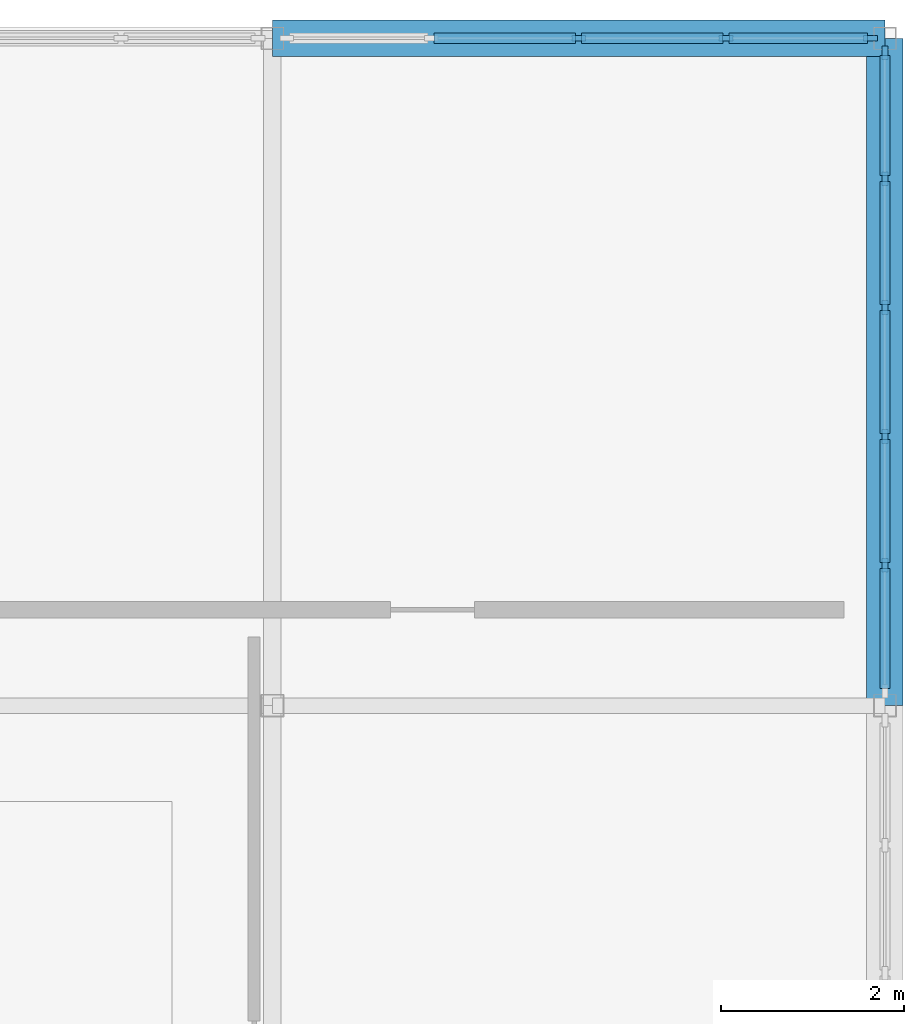
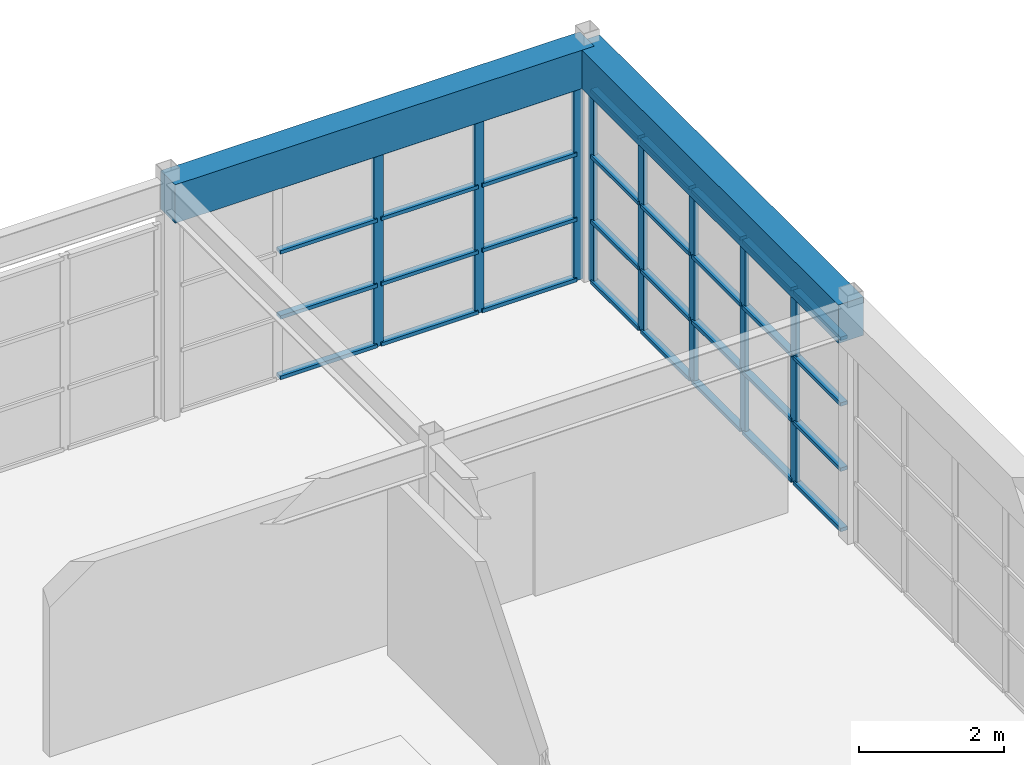
# One storey, part 13 of 19: 40 members, 2 beams, 2 elements without a shape of their own.
"""IFC4 building model written with IfcOpenShell, lengths in metres."""

from ifc_helpers import new_model, si_unit, direction, frame, origin, origin_2d, place, context, subcontext, project, spatial, rectangle, extrude, material, layer, layer_set, material_profile, profile_set, type_object, element, aggregate, save


model = new_model("IFC4")

# Units and contexts
model_context = context("Model", 3, precision=1e-05, world=origin(), true_north=direction((0.0, 1.0)))
body_context = subcontext(model_context, "Body", "Model", "MODEL_VIEW")
ifc_project = project(units=[si_unit("LENGTHUNIT", "METRE"), si_unit("AREAUNIT", "SQUARE_METRE"), si_unit("VOLUMEUNIT", "CUBIC_METRE"), si_unit("PLANEANGLEUNIT", "RADIAN"), si_unit("MASSUNIT", "GRAM", prefix="KILO")], contexts=[model_context])

# Site, building, storey
site_placement = place(None, origin())
site = spatial("IfcSite", under=ifc_project, at=site_placement, CompositionType="ELEMENT")
building_placement = place(site_placement, origin())
building = spatial("IfcBuilding", under=site, at=building_placement, Name="Candilejo Ridge Gondola Terminal", CompositionType="ELEMENT")
storey_placement = place(building_placement, frame((0.0, 0.0, 22.800048828125)))
storey = spatial("IfcBuildingStorey", under=building, at=storey_placement, Name="L05", CompositionType="ELEMENT", Elevation=22.800048828125)

# Curtain wall, members
ifc_material_1 = material(Name="Anodised aluminium AA 6063-T6", Category="aluminium")
ifc_layer_1 = layer(ifc_material_1, 0.169921875)
ifc_layer_set_1 = layer_set([ifc_layer_1], Name="ARC-CW-TOWER-3000-705X329")
curtain_wall_type_1 = type_object("IfcCurtainWallType", Name="ARC-CW-TOWER-3000-705X329", PredefinedType="NOTDEFINED", material=ifc_layer_set_1)
curtain_wall_1_placement = place(storey_placement, origin())
curtain_wall_1 = element("IfcCurtainWall", 1, at=curtain_wall_1_placement, inside=storey, type_object=curtain_wall_type_1, Name="Curtain wall V5 L05-231", PredefinedType="NOTDEFINED")
ifc_material_2 = material(Name="Anodised aluminium AA 6063-T6", Category="aluminium")
ifc_material_profile_1 = material_profile(ifc_material_2, rectangle(XDim=0.06494140625, YDim=0.14990234375, at=origin_2d()))
ifc_profile_set_1 = profile_set([ifc_material_profile_1], Name="Anodised aluminium AA 6063-T6")
member_type_1 = type_object("IfcMemberType", Name="ARC-CW-MULLION-150", PredefinedType="MULLION", material=ifc_profile_set_1)
member_1_placement = place(storey_placement, frame((175.300048828125, 115.0849609375, 0.0), z_axis=(0.0, 0.0, 1.0), x_axis=(-1.0, 0.0, 0.0)))
member_1 = element("IfcMember", 2, at=member_1_placement, type_object=member_type_1, Name="CW-70X32 mullion 2", PredefinedType="MULLION", context=body_context, shape_type="SweptSolid", body=[
    extrude(rectangle(XDim=0.06494140625, YDim=0.14990234375, at=origin_2d()), origin(), (0.0, 0.0, 1.0), 3.2900390625),
])
member_2_placement = place(storey_placement, frame((175.300048828125, 116.4951171875, 0.0), z_axis=(0.0, 0.0, 1.0), x_axis=(-1.0, 0.0, 0.0)))
member_2 = element("IfcMember", 3, at=member_2_placement, type_object=member_type_1, Name="CW-70X32 mullion 3", PredefinedType="MULLION", context=body_context, shape_type="SweptSolid", body=[
    extrude(rectangle(XDim=0.06494140625, YDim=0.14990234375, at=origin_2d()), origin(), (0.0, 0.0, 1.0), 3.2900390625),
])
member_3_placement = place(storey_placement, frame((175.300048828125, 117.905029296875, 0.0), z_axis=(0.0, 0.0, 1.0), x_axis=(-1.0, 0.0, 0.0)))
member_3 = element("IfcMember", 4, at=member_3_placement, type_object=member_type_1, Name="CW-70X32 mullion 4", PredefinedType="MULLION", context=body_context, shape_type="SweptSolid", body=[
    extrude(rectangle(XDim=0.06494140625, YDim=0.14990234375, at=origin_2d()), origin(), (0.0, 0.0, 1.0), 3.2900390625),
])
member_4_placement = place(storey_placement, frame((175.300048828125, 119.31494140625, 0.0), z_axis=(0.0, 0.0, 1.0), x_axis=(-1.0, 0.0, 0.0)))
member_4 = element("IfcMember", 5, at=member_4_placement, type_object=member_type_1, Name="CW-70X32 mullion 5", PredefinedType="MULLION", context=body_context, shape_type="SweptSolid", body=[
    extrude(rectangle(XDim=0.06494140625, YDim=0.14990234375, at=origin_2d()), origin(), (0.0, 0.0, 1.0), 3.2900390625),
])
member_5_placement = place(storey_placement, frame((175.300048828125, 120.6923828125, 0.0), z_axis=(0.0, 0.0, 1.0), x_axis=(-1.0, 0.0, 0.0)))
member_5 = element("IfcMember", 6, at=member_5_placement, type_object=member_type_1, Name="CW-70X32 mullion 6", PredefinedType="MULLION", context=body_context, shape_type="SweptSolid", body=[
    extrude(rectangle(XDim=0.06494140625, YDim=0.14990234375, at=origin_2d()), origin(), (0.0, 0.0, 1.0), 3.2900390625),
])

ifc_material_3 = material(Name="Anodised aluminium AA 6063-T6", Category="aluminium")
ifc_layer_2 = layer(ifc_material_3, 0.169921875)
ifc_layer_set_2 = layer_set([ifc_layer_2], Name="ARC-CW-TOWER-3000-645X329")
curtain_wall_type_2 = type_object("IfcCurtainWallType", Name="ARC-CW-TOWER-3000-645X329", PredefinedType="NOTDEFINED", material=ifc_layer_set_2)
curtain_wall_2_placement = place(storey_placement, origin())
curtain_wall_2 = element("IfcCurtainWall", 7, at=curtain_wall_2_placement, inside=storey, type_object=curtain_wall_type_2, Name="Curtain wall V5 L05-235", PredefinedType="NOTDEFINED")
member_6_placement = place(storey_placement, frame((171.949951171875, 120.85009765625, 0.0), z_axis=(0.0, 0.0, 1.0), x_axis=(0.0, 1.0, 0.0)))
member_6 = element("IfcMember", 8, at=member_6_placement, type_object=member_type_1, Name="CW-64X32 mullion 3", PredefinedType="MULLION", context=body_context, shape_type="SweptSolid", body=[
    extrude(rectangle(XDim=0.06494140625, YDim=0.14990234375, at=origin_2d()), origin(), (0.0, 0.0, 1.0), 3.2900390625),
])
member_7_placement = place(storey_placement, frame((173.5625, 120.85009765625, 0.0), z_axis=(0.0, 0.0, 1.0), x_axis=(0.0, 1.0, 0.0)))
member_7 = element("IfcMember", 9, at=member_7_placement, type_object=member_type_1, Name="CW-64X32 mullion 4", PredefinedType="MULLION", context=body_context, shape_type="SweptSolid", body=[
    extrude(rectangle(XDim=0.06494140625, YDim=0.14990234375, at=origin_2d()), origin(), (0.0, 0.0, 1.0), 3.2900390625),
])
member_8_placement = place(storey_placement, frame((175.142578125, 120.85009765625, 0.0), z_axis=(0.0, 0.0, 1.0), x_axis=(0.0, 1.0, 0.0)))
member_8 = element("IfcMember", 10, at=member_8_placement, type_object=member_type_1, Name="CW-64X32 mullion 5", PredefinedType="MULLION", context=body_context, shape_type="SweptSolid", body=[
    extrude(rectangle(XDim=0.06494140625, YDim=0.14990234375, at=origin_2d()), origin(), (0.0, 0.0, 1.0), 3.2900390625),
])

# Member
ifc_material_4 = material(Name="Anodised aluminium AA 6063-T6", Category="aluminium")
ifc_material_profile_2 = material_profile(ifc_material_4, rectangle(XDim=0.110107421875, YDim=0.06005859375, at=origin_2d()))
ifc_profile_set_2 = profile_set([ifc_material_profile_2], Name="Anodised aluminium AA 6063-T6")
member_type_2 = type_object("IfcMemberType", Name="ARC-CW-TRANSOM-110", PredefinedType="USERDEFINED", material=ifc_profile_set_2)
member_9_placement = place(storey_placement, frame((175.300048828125, 113.739990234375, 0.030029296875), z_axis=(0.0, 1.0, 0.0), x_axis=(-1.0, 0.0, 0.0)))
member_9 = element("IfcMember", 11, at=member_9_placement, type_object=member_type_2, Name="CW-70X32 transom 1.1", ObjectType="TRANSOM", PredefinedType="USERDEFINED", context=body_context, shape_type="SweptSolid", body=[
    extrude(rectangle(XDim=0.110107421875, YDim=0.06005859375, at=origin_2d()), origin(), (0.0, 0.0, 1.0), 1.3125),
])

member_10_placement = place(storey_placement, frame((175.300048828125, 113.739990234375, 1.050048828125), z_axis=(0.0, 1.0, 0.0), x_axis=(-1.0, 0.0, 0.0)))
member_10 = element("IfcMember", 12, at=member_10_placement, type_object=member_type_2, Name="CW-70X32 transom 1.2", ObjectType="TRANSOM", PredefinedType="USERDEFINED", context=body_context, shape_type="SweptSolid", body=[
    extrude(rectangle(XDim=0.110107421875, YDim=0.06005859375, at=origin_2d()), origin(), (0.0, 0.0, 1.0), 1.3125),
])

member_11_placement = place(storey_placement, frame((175.300048828125, 113.739990234375, 2.14990234375), z_axis=(0.0, 1.0, 0.0), x_axis=(-1.0, 0.0, 0.0)))
member_11 = element("IfcMember", 13, at=member_11_placement, type_object=member_type_2, Name="CW-70X32 transom 1.3", ObjectType="TRANSOM", PredefinedType="USERDEFINED", context=body_context, shape_type="SweptSolid", body=[
    extrude(rectangle(XDim=0.110107421875, YDim=0.06005859375, at=origin_2d()), origin(), (0.0, 0.0, 1.0), 1.3125),
])

member_12_placement = place(storey_placement, frame((175.300048828125, 113.739990234375, 3.260009765625), z_axis=(0.0, 1.0, 0.0), x_axis=(-1.0, 0.0, 0.0)))
member_12 = element("IfcMember", 14, at=member_12_placement, type_object=member_type_2, Name="CW-70X32 transom 1.4", ObjectType="TRANSOM", PredefinedType="USERDEFINED", context=body_context, shape_type="SweptSolid", body=[
    extrude(rectangle(XDim=0.110107421875, YDim=0.06005859375, at=origin_2d()), origin(), (0.0, 0.0, 1.0), 1.3125),
])

member_13_placement = place(storey_placement, frame((175.300048828125, 115.117431640625, 0.030029296875), z_axis=(0.0, 1.0, 0.0), x_axis=(-1.0, 0.0, 0.0)))
member_13 = element("IfcMember", 15, at=member_13_placement, type_object=member_type_2, Name="CW-70X32 transom 2.1", ObjectType="TRANSOM", PredefinedType="USERDEFINED", context=body_context, shape_type="SweptSolid", body=[
    extrude(rectangle(XDim=0.110107421875, YDim=0.06005859375, at=origin_2d()), origin(), (0.0, 0.0, 1.0), 1.344970703125),
])

member_14_placement = place(storey_placement, frame((175.300048828125, 115.117431640625, 1.050048828125), z_axis=(0.0, 1.0, 0.0), x_axis=(-1.0, 0.0, 0.0)))
member_14 = element("IfcMember", 16, at=member_14_placement, type_object=member_type_2, Name="CW-70X32 transom 2.2", ObjectType="TRANSOM", PredefinedType="USERDEFINED", context=body_context, shape_type="SweptSolid", body=[
    extrude(rectangle(XDim=0.110107421875, YDim=0.06005859375, at=origin_2d()), origin(), (0.0, 0.0, 1.0), 1.344970703125),
])

member_15_placement = place(storey_placement, frame((175.300048828125, 115.117431640625, 2.14990234375), z_axis=(0.0, 1.0, 0.0), x_axis=(-1.0, 0.0, 0.0)))
member_15 = element("IfcMember", 17, at=member_15_placement, type_object=member_type_2, Name="CW-70X32 transom 2.3", ObjectType="TRANSOM", PredefinedType="USERDEFINED", context=body_context, shape_type="SweptSolid", body=[
    extrude(rectangle(XDim=0.110107421875, YDim=0.06005859375, at=origin_2d()), origin(), (0.0, 0.0, 1.0), 1.344970703125),
])

member_16_placement = place(storey_placement, frame((175.300048828125, 115.117431640625, 3.260009765625), z_axis=(0.0, 1.0, 0.0), x_axis=(-1.0, 0.0, 0.0)))
member_16 = element("IfcMember", 18, at=member_16_placement, type_object=member_type_2, Name="CW-70X32 transom 2.4", ObjectType="TRANSOM", PredefinedType="USERDEFINED", context=body_context, shape_type="SweptSolid", body=[
    extrude(rectangle(XDim=0.110107421875, YDim=0.06005859375, at=origin_2d()), origin(), (0.0, 0.0, 1.0), 1.344970703125),
])

member_17_placement = place(storey_placement, frame((175.300048828125, 116.527587890625, 0.030029296875), z_axis=(0.0, 1.0, 0.0), x_axis=(-1.0, 0.0, 0.0)))
member_17 = element("IfcMember", 19, at=member_17_placement, type_object=member_type_2, Name="CW-70X32 transom 3.1", ObjectType="TRANSOM", PredefinedType="USERDEFINED", context=body_context, shape_type="SweptSolid", body=[
    extrude(rectangle(XDim=0.110107421875, YDim=0.06005859375, at=origin_2d()), origin(), (0.0, 0.0, 1.0), 1.344970703125),
])

member_18_placement = place(storey_placement, frame((175.300048828125, 116.527587890625, 1.050048828125), z_axis=(0.0, 1.0, 0.0), x_axis=(-1.0, 0.0, 0.0)))
member_18 = element("IfcMember", 20, at=member_18_placement, type_object=member_type_2, Name="CW-70X32 transom 3.2", ObjectType="TRANSOM", PredefinedType="USERDEFINED", context=body_context, shape_type="SweptSolid", body=[
    extrude(rectangle(XDim=0.110107421875, YDim=0.06005859375, at=origin_2d()), origin(), (0.0, 0.0, 1.0), 1.344970703125),
])

member_19_placement = place(storey_placement, frame((175.300048828125, 116.527587890625, 2.14990234375), z_axis=(0.0, 1.0, 0.0), x_axis=(-1.0, 0.0, 0.0)))
member_19 = element("IfcMember", 21, at=member_19_placement, type_object=member_type_2, Name="CW-70X32 transom 3.3", ObjectType="TRANSOM", PredefinedType="USERDEFINED", context=body_context, shape_type="SweptSolid", body=[
    extrude(rectangle(XDim=0.110107421875, YDim=0.06005859375, at=origin_2d()), origin(), (0.0, 0.0, 1.0), 1.344970703125),
])

member_20_placement = place(storey_placement, frame((175.300048828125, 116.527587890625, 3.260009765625), z_axis=(0.0, 1.0, 0.0), x_axis=(-1.0, 0.0, 0.0)))
member_20 = element("IfcMember", 22, at=member_20_placement, type_object=member_type_2, Name="CW-70X32 transom 3.4", ObjectType="TRANSOM", PredefinedType="USERDEFINED", context=body_context, shape_type="SweptSolid", body=[
    extrude(rectangle(XDim=0.110107421875, YDim=0.06005859375, at=origin_2d()), origin(), (0.0, 0.0, 1.0), 1.344970703125),
])

member_21_placement = place(storey_placement, frame((175.300048828125, 117.9375, 0.030029296875), z_axis=(0.0, 1.0, 0.0), x_axis=(-1.0, 0.0, 0.0)))
member_21 = element("IfcMember", 23, at=member_21_placement, type_object=member_type_2, Name="CW-70X32 transom 4.1", ObjectType="TRANSOM", PredefinedType="USERDEFINED", context=body_context, shape_type="SweptSolid", body=[
    extrude(rectangle(XDim=0.110107421875, YDim=0.06005859375, at=origin_2d()), origin(), (0.0, 0.0, 1.0), 1.344970703125),
])

member_22_placement = place(storey_placement, frame((175.300048828125, 117.9375, 1.050048828125), z_axis=(0.0, 1.0, 0.0), x_axis=(-1.0, 0.0, 0.0)))
member_22 = element("IfcMember", 24, at=member_22_placement, type_object=member_type_2, Name="CW-70X32 transom 4.2", ObjectType="TRANSOM", PredefinedType="USERDEFINED", context=body_context, shape_type="SweptSolid", body=[
    extrude(rectangle(XDim=0.110107421875, YDim=0.06005859375, at=origin_2d()), origin(), (0.0, 0.0, 1.0), 1.344970703125),
])

member_23_placement = place(storey_placement, frame((175.300048828125, 117.9375, 2.14990234375), z_axis=(0.0, 1.0, 0.0), x_axis=(-1.0, 0.0, 0.0)))
member_23 = element("IfcMember", 25, at=member_23_placement, type_object=member_type_2, Name="CW-70X32 transom 4.3", ObjectType="TRANSOM", PredefinedType="USERDEFINED", context=body_context, shape_type="SweptSolid", body=[
    extrude(rectangle(XDim=0.110107421875, YDim=0.06005859375, at=origin_2d()), origin(), (0.0, 0.0, 1.0), 1.344970703125),
])

member_24_placement = place(storey_placement, frame((175.300048828125, 117.9375, 3.260009765625), z_axis=(0.0, 1.0, 0.0), x_axis=(-1.0, 0.0, 0.0)))
member_24 = element("IfcMember", 26, at=member_24_placement, type_object=member_type_2, Name="CW-70X32 transom 4.4", ObjectType="TRANSOM", PredefinedType="USERDEFINED", context=body_context, shape_type="SweptSolid", body=[
    extrude(rectangle(XDim=0.110107421875, YDim=0.06005859375, at=origin_2d()), origin(), (0.0, 0.0, 1.0), 1.344970703125),
])

member_25_placement = place(storey_placement, frame((175.300048828125, 119.347412109375, 0.030029296875), z_axis=(0.0, 1.0, 0.0), x_axis=(-1.0, 0.0, 0.0)))
member_25 = element("IfcMember", 27, at=member_25_placement, type_object=member_type_2, Name="CW-70X32 transom 5.1", ObjectType="TRANSOM", PredefinedType="USERDEFINED", context=body_context, shape_type="SweptSolid", body=[
    extrude(rectangle(XDim=0.110107421875, YDim=0.06005859375, at=origin_2d()), origin(), (0.0, 0.0, 1.0), 1.3125),
])

member_26_placement = place(storey_placement, frame((175.300048828125, 119.347412109375, 1.050048828125), z_axis=(0.0, 1.0, 0.0), x_axis=(-1.0, 0.0, 0.0)))
member_26 = element("IfcMember", 28, at=member_26_placement, type_object=member_type_2, Name="CW-70X32 transom 5.2", ObjectType="TRANSOM", PredefinedType="USERDEFINED", context=body_context, shape_type="SweptSolid", body=[
    extrude(rectangle(XDim=0.110107421875, YDim=0.06005859375, at=origin_2d()), origin(), (0.0, 0.0, 1.0), 1.3125),
])

member_27_placement = place(storey_placement, frame((175.300048828125, 119.347412109375, 2.14990234375), z_axis=(0.0, 1.0, 0.0), x_axis=(-1.0, 0.0, 0.0)))
member_27 = element("IfcMember", 29, at=member_27_placement, type_object=member_type_2, Name="CW-70X32 transom 5.3", ObjectType="TRANSOM", PredefinedType="USERDEFINED", context=body_context, shape_type="SweptSolid", body=[
    extrude(rectangle(XDim=0.110107421875, YDim=0.06005859375, at=origin_2d()), origin(), (0.0, 0.0, 1.0), 1.3125),
])

member_28_placement = place(storey_placement, frame((175.300048828125, 119.347412109375, 3.260009765625), z_axis=(0.0, 1.0, 0.0), x_axis=(-1.0, 0.0, 0.0)))
member_28 = element("IfcMember", 30, at=member_28_placement, type_object=member_type_2, Name="CW-70X32 transom 5.4", ObjectType="TRANSOM", PredefinedType="USERDEFINED", context=body_context, shape_type="SweptSolid", body=[
    extrude(rectangle(XDim=0.110107421875, YDim=0.06005859375, at=origin_2d()), origin(), (0.0, 0.0, 1.0), 1.3125),
])

aggregate(curtain_wall_1, [member_1, member_2, member_3, member_4, member_5, member_9, member_10, member_11, member_12, member_13, member_14, member_15, member_16, member_17, member_18, member_19, member_20, member_21, member_22, member_23, member_24, member_25, member_26, member_27, member_28])

member_29_placement = place(storey_placement, frame((170.3701171875, 120.85009765625, 0.030029296875), z_axis=(1.0, 0.0, 0.0), x_axis=(0.0, 1.0, 0.0)))
member_29 = element("IfcMember", 31, at=member_29_placement, type_object=member_type_2, Name="CW-64X32 transom 2.1", ObjectType="TRANSOM", PredefinedType="USERDEFINED", context=body_context, shape_type="SweptSolid", body=[
    extrude(rectangle(XDim=0.110107421875, YDim=0.06005859375, at=origin_2d()), origin(), (0.0, 0.0, 1.0), 1.54736328125),
])

member_30_placement = place(storey_placement, frame((170.3701171875, 120.85009765625, 1.050048828125), z_axis=(1.0, 0.0, 0.0), x_axis=(0.0, 1.0, 0.0)))
member_30 = element("IfcMember", 32, at=member_30_placement, type_object=member_type_2, Name="CW-64X32 transom 2.2", ObjectType="TRANSOM", PredefinedType="USERDEFINED", context=body_context, shape_type="SweptSolid", body=[
    extrude(rectangle(XDim=0.110107421875, YDim=0.06005859375, at=origin_2d()), origin(), (0.0, 0.0, 1.0), 1.54736328125),
])

member_31_placement = place(storey_placement, frame((170.3701171875, 120.85009765625, 2.14990234375), z_axis=(1.0, 0.0, 0.0), x_axis=(0.0, 1.0, 0.0)))
member_31 = element("IfcMember", 33, at=member_31_placement, type_object=member_type_2, Name="CW-64X32 transom 2.3", ObjectType="TRANSOM", PredefinedType="USERDEFINED", context=body_context, shape_type="SweptSolid", body=[
    extrude(rectangle(XDim=0.110107421875, YDim=0.06005859375, at=origin_2d()), origin(), (0.0, 0.0, 1.0), 1.54736328125),
])

member_32_placement = place(storey_placement, frame((170.3701171875, 120.85009765625, 3.260009765625), z_axis=(1.0, 0.0, 0.0), x_axis=(0.0, 1.0, 0.0)))
member_32 = element("IfcMember", 34, at=member_32_placement, type_object=member_type_2, Name="CW-64X32 transom 2.4", ObjectType="TRANSOM", PredefinedType="USERDEFINED", context=body_context, shape_type="SweptSolid", body=[
    extrude(rectangle(XDim=0.110107421875, YDim=0.06005859375, at=origin_2d()), origin(), (0.0, 0.0, 1.0), 1.54736328125),
])

member_33_placement = place(storey_placement, frame((171.982421875, 120.85009765625, 0.030029296875), z_axis=(1.0, 0.0, 0.0), x_axis=(0.0, 1.0, 0.0)))
member_33 = element("IfcMember", 35, at=member_33_placement, type_object=member_type_2, Name="CW-64X32 transom 3.1", ObjectType="TRANSOM", PredefinedType="USERDEFINED", context=body_context, shape_type="SweptSolid", body=[
    extrude(rectangle(XDim=0.110107421875, YDim=0.06005859375, at=origin_2d()), origin(), (0.0, 0.0, 1.0), 1.547607421875),
])

member_34_placement = place(storey_placement, frame((171.982421875, 120.85009765625, 1.050048828125), z_axis=(1.0, 0.0, 0.0), x_axis=(0.0, 1.0, 0.0)))
member_34 = element("IfcMember", 36, at=member_34_placement, type_object=member_type_2, Name="CW-64X32 transom 3.2", ObjectType="TRANSOM", PredefinedType="USERDEFINED", context=body_context, shape_type="SweptSolid", body=[
    extrude(rectangle(XDim=0.110107421875, YDim=0.06005859375, at=origin_2d()), origin(), (0.0, 0.0, 1.0), 1.547607421875),
])

member_35_placement = place(storey_placement, frame((171.982421875, 120.85009765625, 2.14990234375), z_axis=(1.0, 0.0, 0.0), x_axis=(0.0, 1.0, 0.0)))
member_35 = element("IfcMember", 37, at=member_35_placement, type_object=member_type_2, Name="CW-64X32 transom 3.3", ObjectType="TRANSOM", PredefinedType="USERDEFINED", context=body_context, shape_type="SweptSolid", body=[
    extrude(rectangle(XDim=0.110107421875, YDim=0.06005859375, at=origin_2d()), origin(), (0.0, 0.0, 1.0), 1.547607421875),
])

member_36_placement = place(storey_placement, frame((171.982421875, 120.85009765625, 3.260009765625), z_axis=(1.0, 0.0, 0.0), x_axis=(0.0, 1.0, 0.0)))
member_36 = element("IfcMember", 38, at=member_36_placement, type_object=member_type_2, Name="CW-64X32 transom 3.4", ObjectType="TRANSOM", PredefinedType="USERDEFINED", context=body_context, shape_type="SweptSolid", body=[
    extrude(rectangle(XDim=0.110107421875, YDim=0.06005859375, at=origin_2d()), origin(), (0.0, 0.0, 1.0), 1.547607421875),
])

member_37_placement = place(storey_placement, frame((173.594970703125, 120.85009765625, 0.030029296875), z_axis=(1.0, 0.0, 0.0), x_axis=(0.0, 1.0, 0.0)))
member_37 = element("IfcMember", 39, at=member_37_placement, type_object=member_type_2, Name="CW-64X32 transom 4.1", ObjectType="TRANSOM", PredefinedType="USERDEFINED", context=body_context, shape_type="SweptSolid", body=[
    extrude(rectangle(XDim=0.110107421875, YDim=0.06005859375, at=origin_2d()), origin(), (0.0, 0.0, 1.0), 1.51513671875),
])

member_38_placement = place(storey_placement, frame((173.594970703125, 120.85009765625, 1.050048828125), z_axis=(1.0, 0.0, 0.0), x_axis=(0.0, 1.0, 0.0)))
member_38 = element("IfcMember", 40, at=member_38_placement, type_object=member_type_2, Name="CW-64X32 transom 4.2", ObjectType="TRANSOM", PredefinedType="USERDEFINED", context=body_context, shape_type="SweptSolid", body=[
    extrude(rectangle(XDim=0.110107421875, YDim=0.06005859375, at=origin_2d()), origin(), (0.0, 0.0, 1.0), 1.51513671875),
])

member_39_placement = place(storey_placement, frame((173.594970703125, 120.85009765625, 2.14990234375), z_axis=(1.0, 0.0, 0.0), x_axis=(0.0, 1.0, 0.0)))
member_39 = element("IfcMember", 41, at=member_39_placement, type_object=member_type_2, Name="CW-64X32 transom 4.3", ObjectType="TRANSOM", PredefinedType="USERDEFINED", context=body_context, shape_type="SweptSolid", body=[
    extrude(rectangle(XDim=0.110107421875, YDim=0.06005859375, at=origin_2d()), origin(), (0.0, 0.0, 1.0), 1.51513671875),
])

member_40_placement = place(storey_placement, frame((173.594970703125, 120.85009765625, 3.260009765625), z_axis=(1.0, 0.0, 0.0), x_axis=(0.0, 1.0, 0.0)))
member_40 = element("IfcMember", 42, at=member_40_placement, type_object=member_type_2, Name="CW-64X32 transom 4.4", ObjectType="TRANSOM", PredefinedType="USERDEFINED", context=body_context, shape_type="SweptSolid", body=[
    extrude(rectangle(XDim=0.110107421875, YDim=0.06005859375, at=origin_2d()), origin(), (0.0, 0.0, 1.0), 1.51513671875),
])

aggregate(curtain_wall_2, [member_6, member_7, member_8, member_29, member_30, member_31, member_32, member_33, member_34, member_35, member_36, member_37, member_38, member_39, member_40])

# Beams
ifc_material_5 = material(Name="Concrete f'c 35 MPa (C35/45)", Category="concrete")
ifc_material_profile_3 = material_profile(ifc_material_5, rectangle(XDim=0.39990234375, YDim=0.64990234375, at=origin_2d()))
ifc_profile_set_3 = profile_set([ifc_material_profile_3], Name="Concrete f'c 35 MPa (C35/45)")
beam_type = type_object("IfcBeamType", Name="STR-SPN-RC400X650", PredefinedType="SPANDREL", material=ifc_profile_set_3)
beam_1_placement = place(storey_placement, frame((168.60009765625, 120.85009765625, 3.675048828125), z_axis=(1.0, 0.0, 0.0), x_axis=(0.0, 1.0, 0.0)))
element("IfcBeam", 43, at=beam_1_placement, inside=storey, type_object=beam_type, Name="Beam X V5 L05 X25-X27@Y20", PredefinedType="SPANDREL", context=body_context, shape_type="SweptSolid", body=[
    extrude(rectangle(XDim=0.39990234375, YDim=0.64990234375, at=origin_2d()), origin(), (0.0, 0.0, 1.0), 6.699951171875),
])
beam_2_placement = place(storey_placement, frame((175.300048828125, 113.550048828125, 3.675048828125), z_axis=(0.0, 1.0, 0.0), x_axis=(-1.0, 0.0, 0.0)))
element("IfcBeam", 44, at=beam_2_placement, inside=storey, type_object=beam_type, Name="Beam Y V5 L05 Y19-Y20@X27", PredefinedType="SPANDREL", context=body_context, shape_type="SweptSolid", body=[
    extrude(rectangle(XDim=0.39990234375, YDim=0.64990234375, at=origin_2d()), origin(), (0.0, 0.0, 1.0), 7.300048828125),
])

save(model, "model.ifc")
